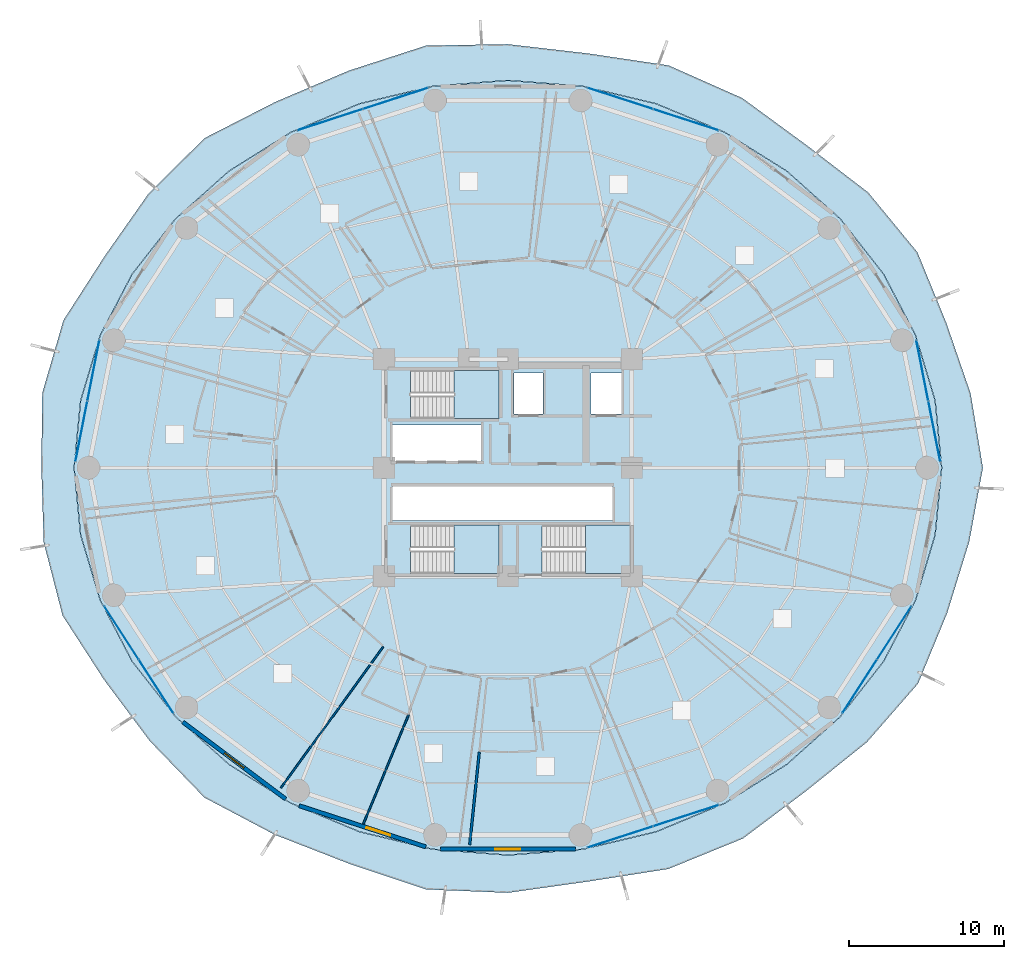
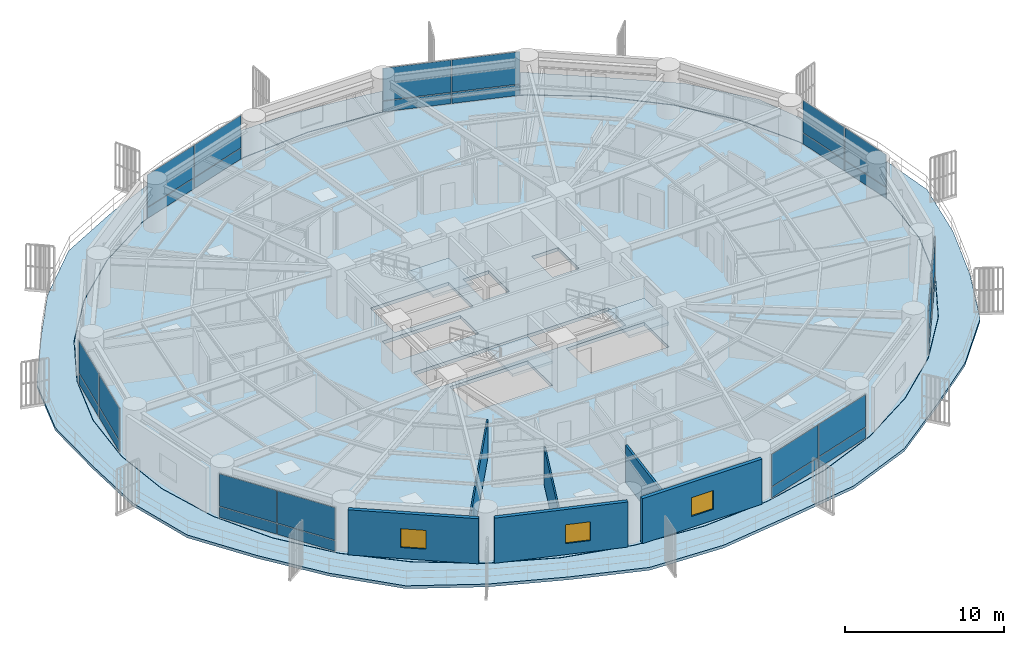
# One storey, part 22 of 33: 28 plates, 6 walls, 5 slabs, 3 windows, 3 openings, 10 elements without a shape of their own.
"""IFC4 building model written with IfcOpenShell, lengths in metres."""

import ifcopenshell
import ifcopenshell.guid

model = None  # the IFC model being written
_history = None  # IfcOwnerHistory: only IFC2X3 demands one
_inside = {}  # id of a spatial element -> (the spatial element, [elements in it])
_under = {}  # id of a project, library or spatial element -> (it, [spatial elements below it])
_declared = {}  # id of a project -> (the project, [libraries it declares])
_typed = {}  # id of a type object -> (the type object, [elements of that type])
_made_of = {}  # id of a material, layer set ... -> (it, [elements and type objects made of it])


def new_model(schema):
    """Start an empty IFC model of exactly this schema.

    Asked for "IFC4X3", IfcOpenShell would pick the latest addendum, in which some entities
    have other attributes; the version numbers below select the first issue.
    IFC2X3 requires an IfcOwnerHistory on every rooted entity: one is made here for all.
    """
    global model, _history
    if schema == "IFC4X3":
        model = ifcopenshell.file(schema_version=(4, 3, 0, 0))
    else:
        model = ifcopenshell.file(schema=schema)
    _inside.clear()
    _under.clear()
    _declared.clear()
    _typed.clear()
    _made_of.clear()
    _history = None
    if model.schema == "IFC2X3":
        org = make("IfcOrganization", Name="unknown")
        user = make(
            "IfcPersonAndOrganization",
            ThePerson=make("IfcPerson", FamilyName="unknown"),
            TheOrganization=org,
        )
        app = make(
            "IfcApplication",
            ApplicationDeveloper=org,
            Version="unknown",
            ApplicationFullName="unknown",
            ApplicationIdentifier="unknown",
        )
        _history = make(
            "IfcOwnerHistory",
            OwningUser=user,
            OwningApplication=app,
            ChangeAction="ADDED",
            CreationDate=0,
        )
    return model


def make(cls, **values):
    """One entity of the class cls with the attributes given. An attribute that is None is left unset."""
    return model.create_entity(
        cls, **{name: value for name, value in values.items() if value is not None}
    )


def rooted(cls, **values):
    """An entity with a GlobalId (a new one), such as an element, a storey or a relation."""
    return make(cls, GlobalId=ifcopenshell.guid.new(), OwnerHistory=_history, **values)


def si_unit(unit_type, name, prefix=None):
    """IfcSIUnit, for example si_unit("LENGTHUNIT", "METRE", prefix="MILLI")."""
    return make("IfcSIUnit", UnitType=unit_type, Prefix=prefix, Name=name)


def assignment(units):
    """IfcUnitAssignment: the units of a project."""
    return None if units is None else make("IfcUnitAssignment", Units=units)


def point(xyz):
    """IfcCartesianPoint."""
    return None if xyz is None else make("IfcCartesianPoint", Coordinates=xyz)


def direction(xyz):
    """IfcDirection."""
    return None if xyz is None else make("IfcDirection", DirectionRatios=xyz)


def frame(location, z_axis=None, x_axis=None):
    """IfcAxis2Placement3D, a coordinate frame: its origin and axes. An axis left out is left unset."""
    return make(
        "IfcAxis2Placement3D",
        Location=point(location),
        Axis=direction(z_axis),
        RefDirection=direction(x_axis),
    )


def frame_2d(location, x_axis=None):
    """IfcAxis2Placement2D, a coordinate frame in the plane: its origin and x axis."""
    return make(
        "IfcAxis2Placement2D", Location=point(location), RefDirection=direction(x_axis)
    )


def origin():
    """The frame at (0, 0, 0) with its axes left unset."""
    return frame((0.0, 0.0, 0.0))


def origin_2d():
    """The frame at (0, 0) in the plane with its x axis left unset."""
    return frame_2d((0.0, 0.0))


def place(relative_to, where):
    """IfcLocalPlacement: puts the frame where relative to a parent placement (None: the world)."""
    return make(
        "IfcLocalPlacement", PlacementRelTo=relative_to, RelativePlacement=where
    )


def context(
    kind, dimensions, precision=None, world=None, true_north=None, identifier=None
):
    """IfcGeometricRepresentationContext, for example the 3D "Model" context."""
    return make(
        "IfcGeometricRepresentationContext",
        ContextIdentifier=identifier,
        ContextType=kind,
        CoordinateSpaceDimension=dimensions,
        Precision=precision,
        WorldCoordinateSystem=world,
        TrueNorth=true_north,
    )


def subcontext(parent, identifier, kind, view, scale=None):
    """IfcGeometricRepresentationSubContext, for example "Body" below "Model"."""
    return make(
        "IfcGeometricRepresentationSubContext",
        ContextIdentifier=identifier,
        ContextType=kind,
        ParentContext=parent,
        TargetScale=scale,
        TargetView=view,
    )


def project(units=None, contexts=None):
    """IfcProject with its units and contexts."""
    return rooted(
        "IfcProject",
        Name="project",
        RepresentationContexts=contexts,
        UnitsInContext=assignment(units),
    )


def spatial(cls, under=None, at=None, **own):
    """A site, building, storey or space (cls), placed at a placement, below another one or the project."""
    s = rooted(cls, ObjectPlacement=at, **own)
    if under is not None:
        _under.setdefault(under.id(), (under, []))[1].append(s)
    return s


def polyline(points):
    """IfcPolyline through the points."""
    return make("IfcPolyline", Points=[point(p) for p in points])


def profile(cls, at=None, kind="AREA", **sizes):
    """A parametric profile (cls). Its sizes go by their IFC names, for example OverallWidth=200.0."""
    return make(cls, ProfileType=kind, Position=at, **sizes)


def rectangle(**sizes):
    """IfcRectangleProfileDef."""
    return profile("IfcRectangleProfileDef", **sizes)


def outline(outer, holes=None, kind="AREA"):
    """IfcArbitraryClosedProfileDef: a profile drawn as a closed curve; with holes, ...WithVoids."""
    if holes is None:
        return make("IfcArbitraryClosedProfileDef", ProfileType=kind, OuterCurve=outer)
    return make(
        "IfcArbitraryProfileDefWithVoids",
        ProfileType=kind,
        OuterCurve=outer,
        InnerCurves=holes,
    )


def extrude(swept, where, along, depth):
    """IfcExtrudedAreaSolid: the profile swept, set in the frame where, extruded along a direction by depth."""
    return make(
        "IfcExtrudedAreaSolid",
        SweptArea=swept,
        Position=where,
        ExtrudedDirection=direction(along),
        Depth=depth,
    )


def shape(context_of_items, identifier, shape_type, items):
    """IfcShapeRepresentation: the items that make up one representation, for example the "Body"."""
    return make(
        "IfcShapeRepresentation",
        ContextOfItems=context_of_items,
        RepresentationIdentifier=identifier,
        RepresentationType=shape_type,
        Items=items,
    )


def source(mapping_origin, context_of_items, identifier, shape_type, items):
    """IfcRepresentationMap: a shape defined once, which mapped items show again and again."""
    return make(
        "IfcRepresentationMap",
        MappingOrigin=mapping_origin,
        MappedRepresentation=shape(context_of_items, identifier, shape_type, items),
    )


def transform(
    local_origin,
    x_axis=None,
    y_axis=None,
    z_axis=None,
    scale=None,
    scale2=None,
    scale3=None,
    uniform=True,
):
    """IfcCartesianTransformationOperator3D, or its non-uniform kind. x_axis, y_axis, z_axis: its Axis1, 2, 3."""
    if uniform:
        return make(
            "IfcCartesianTransformationOperator3D",
            Axis1=direction(x_axis),
            Axis2=direction(y_axis),
            LocalOrigin=point(local_origin),
            Scale=scale,
            Axis3=direction(z_axis),
        )
    return make(
        "IfcCartesianTransformationOperator3DnonUniform",
        Axis1=direction(x_axis),
        Axis2=direction(y_axis),
        LocalOrigin=point(local_origin),
        Scale=scale,
        Axis3=direction(z_axis),
        Scale2=scale2,
        Scale3=scale3,
    )


def mapped(mapping_source, mapping_target):
    """IfcMappedItem: shows the shape of a source again, moved by a transform."""
    return make(
        "IfcMappedItem", MappingSource=mapping_source, MappingTarget=mapping_target
    )


def material(Name=None, Category=None):
    """IfcMaterial."""
    return make("IfcMaterial", Name=Name, Category=Category)


def layer(
    of_material, thickness, ventilated=None, Name=None, Category=None, Priority=None
):
    """IfcMaterialLayer: one layer of a wall or slab, of a material (None: an air gap)."""
    return make(
        "IfcMaterialLayer",
        Material=of_material,
        LayerThickness=thickness,
        IsVentilated=ventilated,
        Name=Name,
        Category=Category,
        Priority=Priority,
    )


def layer_set(layers, Name=None):
    """IfcMaterialLayerSet."""
    return make("IfcMaterialLayerSet", MaterialLayers=layers, LayerSetName=Name)


def made_of(thing, what):
    """Note that an element or type object is made of a material, layer set ...; save() writes the relation."""
    if what is not None:
        _made_of.setdefault(what.id(), (what, []))[1].append(thing)
    return thing


def type_object(cls, material=None, **own):
    """A type object (cls), such as IfcWallType, which elements share."""
    return made_of(rooted(cls, **own), material)


def element(
    cls,
    number,
    at=None,
    inside=None,
    cuts=None,
    type_object=None,
    material=None,
    context=None,
    identifier="Body",
    shape_type=None,
    held_by="IfcProductDefinitionShape",
    body=None,
    shapes=None,
    **own,
):
    """One element of the class cls, such as IfcWall. Its Tag is "e" and its number.

    at: its placement. inside: the storey or other place that contains it. cuts: it is an
    opening in that element (IfcRelVoidsElement). A single representation is given by context,
    identifier, shape_type and body (its items); several are given by shapes. held_by: the class
    of the entity that holds the representations. save() writes the other relations.
    """
    e = rooted(cls, Tag="e%d" % number, ObjectPlacement=at, **own)
    if body is not None:
        shapes = [shape(context, identifier, shape_type, body)]
    if shapes is not None:
        e.Representation = make(held_by, Representations=shapes)
    if inside is not None:
        _inside.setdefault(inside.id(), (inside, []))[1].append(e)
    if cuts is not None:
        rooted(
            "IfcRelVoidsElement", RelatingBuildingElement=cuts, RelatedOpeningElement=e
        )
    if type_object is not None:
        _typed.setdefault(type_object.id(), (type_object, []))[1].append(e)
    return made_of(e, material)


def fill(opening, filler):
    """IfcRelFillsElement: the door or window that sits in an opening."""
    return rooted(
        "IfcRelFillsElement",
        RelatingOpeningElement=opening,
        RelatedBuildingElement=filler,
    )


def aggregate(whole, parts):
    """IfcRelAggregates: a whole, such as a stair, and the parts it consists of."""
    return rooted("IfcRelAggregates", RelatingObject=whole, RelatedObjects=parts)


def save(model, path):
    """Write the relations noted so far, then the file.

    IfcRelAggregates (storeys below a building ...), IfcRelContainedInSpatialStructure (elements
    in a storey), IfcRelDefinesByType, IfcRelAssociatesMaterial and IfcRelDeclares: one each for
    every whole, place, type object, material and project.
    """
    for whole, parts in _under.values():
        aggregate(whole, parts)
    for where, things in _inside.values():
        rooted(
            "IfcRelContainedInSpatialStructure",
            RelatedElements=things,
            RelatingStructure=where,
        )
    for kind, things in _typed.values():
        rooted("IfcRelDefinesByType", RelatedObjects=things, RelatingType=kind)
    for what, things in _made_of.values():
        rooted("IfcRelAssociatesMaterial", RelatedObjects=things, RelatingMaterial=what)
    for by, libraries in _declared.values():
        rooted("IfcRelDeclares", RelatingContext=by, RelatedDefinitions=libraries)
    model.write(path)


model = new_model("IFC4")

# Units and contexts
model_context = context("Model", 3, precision=1e-05, world=origin(), true_north=direction((0.0, 1.0)))
body_context = subcontext(model_context, "Body", "Model", "MODEL_VIEW")
ifc_project = project(units=[si_unit("LENGTHUNIT", "METRE"), si_unit("AREAUNIT", "SQUARE_METRE"), si_unit("VOLUMEUNIT", "CUBIC_METRE"), si_unit("PLANEANGLEUNIT", "RADIAN"), si_unit("MASSUNIT", "GRAM", prefix="KILO")], contexts=[model_context])

# Site, building, storey
site_placement = place(None, origin())
site = spatial("IfcSite", under=ifc_project, at=site_placement, CompositionType="ELEMENT")
building_placement = place(site_placement, origin())
building = spatial("IfcBuilding", under=site, at=building_placement, Name="Kelanora Arch Commons", CompositionType="ELEMENT")
storey_placement = place(building_placement, frame((0.0, 0.0, 45.0)))
storey = spatial("IfcBuildingStorey", under=building, at=storey_placement, Name="L11", CompositionType="ELEMENT", Elevation=45.0)

# Stair, slab
ifc_material_1 = material(Name="Concrete C40/50", Category="concrete")
stair_type = type_object("IfcStairType", Name="STR-DL-375", PredefinedType="HALF_TURN_STAIR", material=ifc_material_1)
stair_1_placement = place(storey_placement, origin())
stair_1 = element("IfcStair", 1, at=stair_1_placement, inside=storey, type_object=stair_type, Name="L11 ST-T1", PredefinedType="HALF_TURN_STAIR")
ifc_layer_1 = layer(ifc_material_1, 0.199951171875)
ifc_layer_set_1 = layer_set([ifc_layer_1], Name="Concrete C40/50")
slab_type_1 = type_object("IfcSlabType", Name="SLB-STAIR-LND", PredefinedType="LANDING", material=ifc_layer_set_1)
slab_1_placement = place(storey_placement, frame((0.0, 0.0, 1.675048828125)))
slab_1 = element("IfcSlab", 2, at=slab_1_placement, type_object=slab_type_1, Name="ST-T1 landing 1", PredefinedType="LANDING", context=body_context, shape_type="SweptSolid", body=[
    extrude(outline(polyline([(70.52001953125, 61.179931640625), (73.43994140625, 61.179931640625), (73.43994140625, 64.2900390625), (70.52001953125, 64.2900390625), (70.52001953125, 61.179931640625)])), origin(), (0.0, 0.0, 1.0), 0.199951171875),
])
aggregate(stair_1, [slab_1])

stair_2_placement = place(storey_placement, origin())
stair_2 = element("IfcStair", 3, at=stair_2_placement, inside=storey, type_object=stair_type, Name="L11 ST-T2", PredefinedType="HALF_TURN_STAIR")
slab_2_placement = place(storey_placement, frame((0.0, 0.0, 1.675048828125)))
slab_2 = element("IfcSlab", 4, at=slab_2_placement, type_object=slab_type_1, Name="ST-T2 landing 1", PredefinedType="LANDING", context=body_context, shape_type="SweptSolid", body=[
    extrude(outline(polyline([(79.0, 51.179931640625), (81.919921875, 51.179931640625), (81.919921875, 54.2900390625), (79.0, 54.2900390625), (79.0, 51.179931640625)])), origin(), (0.0, 0.0, 1.0), 0.199951171875),
])
aggregate(stair_2, [slab_2])

stair_3_placement = place(storey_placement, origin())
stair_3 = element("IfcStair", 5, at=stair_3_placement, inside=storey, type_object=stair_type, Name="L11 ST-T3", PredefinedType="HALF_TURN_STAIR")
slab_3_placement = place(storey_placement, frame((0.0, 0.0, 1.675048828125)))
slab_3 = element("IfcSlab", 6, at=slab_3_placement, type_object=slab_type_1, Name="ST-T3 landing 1", PredefinedType="LANDING", context=body_context, shape_type="SweptSolid", body=[
    extrude(outline(polyline([(70.52001953125, 51.179931640625), (73.43994140625, 51.179931640625), (73.43994140625, 54.2900390625), (70.52001953125, 54.2900390625), (70.52001953125, 51.179931640625)])), origin(), (0.0, 0.0, 1.0), 0.199951171875),
])
aggregate(stair_3, [slab_3])

# Slabs
ifc_layer_2 = layer(ifc_material_1, 0.260009765625)
ifc_layer_set_2 = layer_set([ifc_layer_2], Name="Concrete C40/50")
slab_type_2 = type_object("IfcSlabType", Name="SLB-TWR-TYP", PredefinedType="FLOOR", material=ifc_layer_set_2)
slab_4_placement = place(storey_placement, frame((0.0, 0.0, -0.260009765625)))
element("IfcSlab", 7, at=slab_4_placement, inside=storey, type_object=slab_type_2, Name="Tower Floor Slab L11", PredefinedType="FLOOR", context=body_context, shape_type="SweptSolid", body=[
    extrude(outline(polyline([(102.0, 58.0), (101.57470703125, 62.34130859375), (100.311279296875, 66.550537109375), (98.248779296875, 70.5), (95.44921875, 74.069580078125), (91.998046875, 77.151123046875), (88.0, 79.650634765625), (83.57666015625, 81.4921875), (78.862060546875, 82.6201171875), (74.0, 83.0), (69.137939453125, 82.6201171875), (64.42333984375, 81.4921875), (60.0, 79.650634765625), (56.001953125, 77.151123046875), (52.55078125, 74.069580078125), (49.751220703125, 70.5), (47.688720703125, 66.550537109375), (46.42529296875, 62.34130859375), (46.0, 58.0), (46.42529296875, 53.65869140625), (47.688720703125, 49.449462890625), (49.751220703125, 45.5), (52.55078125, 41.930419921875), (56.001953125, 38.848876953125), (60.0, 36.349365234375), (64.42333984375, 34.5078125), (69.137939453125, 33.3798828125), (74.0, 33.0), (78.862060546875, 33.3798828125), (83.57666015625, 34.5078125), (88.0, 36.349365234375), (91.998046875, 38.848876953125), (95.44921875, 41.930419921875), (98.248779296875, 45.5), (100.311279296875, 49.449462890625), (101.57470703125, 53.65869140625), (102.0, 58.0)]), holes=[polyline([(73.431884765625, 51.18798828125), (67.72802734375, 51.18798828125), (67.72802734375, 54.281982421875), (73.431884765625, 54.281982421875), (73.431884765625, 51.18798828125)]), polyline([(76.2080078125, 51.18798828125), (76.2080078125, 54.281982421875), (81.912109375, 54.281982421875), (81.912109375, 51.18798828125), (76.2080078125, 51.18798828125)]), polyline([(66.550048828125, 54.60009765625), (66.550048828125, 56.800048828125), (80.75, 56.800048828125), (80.75, 54.60009765625), (66.550048828125, 54.60009765625)]), polyline([(66.550048828125, 58.449951171875), (66.550048828125, 60.75), (72.25, 60.75), (72.25, 58.449951171875), (66.550048828125, 58.449951171875)]), polyline([(67.72802734375, 61.18798828125), (67.72802734375, 64.281982421875), (73.431884765625, 64.281982421875), (73.431884765625, 61.18798828125), (67.72802734375, 61.18798828125)]), polyline([(74.3798828125, 61.47998046875), (74.3798828125, 64.1201171875), (76.260009765625, 64.1201171875), (76.260009765625, 61.47998046875), (74.3798828125, 61.47998046875)]), polyline([(79.3798828125, 61.47998046875), (79.3798828125, 64.1201171875), (81.320068359375, 64.1201171875), (81.320068359375, 61.47998046875), (79.3798828125, 61.47998046875)])]), origin(), (0.0, 0.0, 1.0), 0.260009765625),
])
ifc_layer_3 = layer(ifc_material_1, 0.219970703125)
ifc_layer_set_3 = layer_set([ifc_layer_3], Name="Concrete C40/50")
slab_type_3 = type_object("IfcSlabType", Name="SLB-WAVE-BAL", PredefinedType="FLOOR", material=ifc_layer_set_3)
slab_5_placement = place(storey_placement, frame((0.0, 0.0, -0.219970703125)))
element("IfcSlab", 8, at=slab_5_placement, inside=storey, type_object=slab_type_3, Name="Sinusoidal Wave Balcony Slab L11", PredefinedType="FLOOR", context=body_context, shape_type="SweptSolid", body=[
    extrude(outline(polyline([(104.670654296875, 58.0), (103.87646484375, 62.7958984375), (102.3046875, 67.363037109375), (100.43994140625, 71.9169921875), (97.264404296875, 75.775390625), (93.26611328125, 78.84375), (89.141357421875, 81.864501953125), (84.383056640625, 83.97412109375), (79.197021484375, 84.74658203125), (74.0, 85.346435546875), (68.722412109375, 85.25830078125), (63.7265625, 83.636962890625), (58.985107421875, 81.619384765625), (54.408203125, 79.2783203125), (50.805419921875, 75.7099609375), (47.961181640625, 71.65771484375), (45.30419921875, 67.5224609375), (43.9384765625, 62.832275390625), (43.880615234375, 58.0), (44.028076171875, 53.185302734375), (45.246337890625, 48.453857421875), (47.920166015625, 44.31591796875), (50.875244140625, 40.355712890625), (54.39794921875, 36.7080078125), (58.946533203125, 34.3056640625), (63.74951171875, 32.433837890625), (68.727783203125, 30.7744140625), (74.0, 30.556396484375), (79.191650390625, 31.286376953125), (84.360107421875, 32.0966796875), (89.1796875, 34.060546875), (93.2763671875, 37.142578125), (97.194580078125, 40.2900390625), (100.480712890625, 44.056640625), (102.362548828125, 48.61328125), (103.786865234375, 53.221923828125), (104.670654296875, 58.0)]), holes=[polyline([(101.59423828125, 53.6552734375), (100.330078125, 49.442626953125), (98.26611328125, 45.489990234375), (95.464599609375, 41.91748046875), (92.010986328125, 38.83349609375), (88.010009765625, 36.33203125), (83.58349609375, 34.489013671875), (78.865478515625, 33.360107421875), (74.0, 32.97998046875), (69.134521484375, 33.360107421875), (64.41650390625, 34.489013671875), (59.989990234375, 36.33203125), (55.989013671875, 38.83349609375), (52.535400390625, 41.91748046875), (49.73388671875, 45.489990234375), (47.669921875, 49.442626953125), (46.40576171875, 53.6552734375), (45.97998046875, 58.0), (46.40576171875, 62.3447265625), (47.669921875, 66.557373046875), (49.73388671875, 70.510009765625), (52.535400390625, 74.08251953125), (55.989013671875, 77.16650390625), (59.989990234375, 79.66796875), (64.41650390625, 81.510986328125), (69.134521484375, 82.639892578125), (74.0, 83.02001953125), (78.865478515625, 82.639892578125), (83.58349609375, 81.510986328125), (88.010009765625, 79.66796875), (92.010986328125, 77.16650390625), (95.464599609375, 74.08251953125), (98.26611328125, 70.510009765625), (100.330078125, 66.557373046875), (101.59423828125, 62.3447265625), (102.02001953125, 58.0), (101.59423828125, 53.6552734375)])]), origin(), (0.0, 0.0, 1.0), 0.219970703125),
])

# Curtain wall, plates
ifc_material_2 = material(Name="Terracotta ceramic-fritted low-E glass and aluminium", Category="masonry")
ifc_layer_4 = layer(ifc_material_2, 0.159912109375)
ifc_layer_set_4 = layer_set([ifc_layer_4], Name="Terracotta ceramic-fritted low-E glass and aluminium")
curtain_wall_type = type_object("IfcCurtainWallType", Name="CW-SYS-01", PredefinedType="NOTDEFINED", material=ifc_layer_set_4)
curtain_wall_1_placement = place(storey_placement, origin())
curtain_wall_1 = element("IfcCurtainWall", 9, at=curtain_wall_1_placement, inside=storey, type_object=curtain_wall_type, Name="Unitised Curtain Wall L11-B00", PredefinedType="NOTDEFINED")
ifc_material_3 = material(Name="Terracotta ceramic-fritted double glazing", Category="masonry")
ifc_layer_5 = layer(ifc_material_3, 0.028076171875)
ifc_layer_set_5 = layer_set([ifc_layer_5], Name="Terracotta ceramic-fritted double glazing")
plate_type = type_object("IfcPlateType", Name="CWP-FRIT", PredefinedType="CURTAIN_PANEL", material=ifc_layer_set_5)
shared_shape_1 = source(origin(), body_context, "Body", "SweptSolid", [
    extrude(rectangle(XDim=3.9482421875, YDim=0.028076171875, at=origin_2d()), origin(), (0.0, 0.0, 1.0), 0.81005859375),
])
plate_1_placement = place(storey_placement, frame((101.536865234375, 60.34521484375, 0.06005859375), z_axis=(0.0, 0.0, 1.0), x_axis=(-0.193744048498, 0.981052110579, 0.0)))
plate_1 = element("IfcPlate", 10, at=plate_1_placement, type_object=plate_type, Name="CW-01 panel 1.1", PredefinedType="CURTAIN_PANEL", context=body_context, shape_type="MappedRepresentation", body=[
    mapped(shared_shape_1, transform((0.0, 0.0, 0.0), scale=1.0)),
])
plate_2_placement = place(storey_placement, frame((100.76025390625, 64.277587890625, 0.06005859375), z_axis=(0.0, 0.0, 1.0), x_axis=(-0.193744048498, 0.981052110579, 0.0)))
plate_2 = element("IfcPlate", 11, at=plate_2_placement, type_object=plate_type, Name="CW-01 panel 2.1", PredefinedType="CURTAIN_PANEL", context=body_context, shape_type="MappedRepresentation", body=[
    mapped(shared_shape_1, transform((0.0, 0.0, 0.0), scale=1.0)),
])

curtain_wall_2_placement = place(storey_placement, origin())
curtain_wall_2 = element("IfcCurtainWall", 12, at=curtain_wall_2_placement, inside=storey, type_object=curtain_wall_type, Name="Unitised Curtain Wall L11-B08", PredefinedType="NOTDEFINED")
plate_3_placement = place(storey_placement, frame((47.23974609375, 64.277587890625, 0.06005859375), z_axis=(0.0, 0.0, 1.0), x_axis=(-0.193744048498, -0.981052110579, 0.0)))
plate_3 = element("IfcPlate", 13, at=plate_3_placement, type_object=plate_type, Name="CW-01 panel 1.1", PredefinedType="CURTAIN_PANEL", context=body_context, shape_type="MappedRepresentation", body=[
    mapped(shared_shape_1, transform((0.0, 0.0, 0.0), scale=1.0)),
])
plate_4_placement = place(storey_placement, frame((46.463134765625, 60.34521484375, 0.06005859375), z_axis=(0.0, 0.0, 1.0), x_axis=(-0.193744048498, -0.981052110579, 0.0)))
plate_4 = element("IfcPlate", 14, at=plate_4_placement, type_object=plate_type, Name="CW-01 panel 2.1", PredefinedType="CURTAIN_PANEL", context=body_context, shape_type="MappedRepresentation", body=[
    mapped(shared_shape_1, transform((0.0, 0.0, 0.0), scale=1.0)),
])

# Plate
shared_shape_2 = source(origin(), body_context, "Body", "SweptSolid", [
    extrude(rectangle(XDim=3.9482421875, YDim=0.028076171875, at=origin_2d()), origin(), (0.0, 0.0, 1.0), 2.485107421875),
])
plate_5_placement = place(storey_placement, frame((101.536865234375, 60.34521484375, 0.93017578125), z_axis=(0.0, 0.0, 1.0), x_axis=(-0.193744048498, 0.981052110579, 0.0)))
plate_5 = element("IfcPlate", 15, at=plate_5_placement, type_object=plate_type, Name="CW-01 panel 1.2", PredefinedType="CURTAIN_PANEL", context=body_context, shape_type="MappedRepresentation", body=[
    mapped(shared_shape_2, transform((0.0, 0.0, 0.0), scale=1.0)),
])

plate_6_placement = place(storey_placement, frame((100.76025390625, 64.277587890625, 0.93017578125), z_axis=(0.0, 0.0, 1.0), x_axis=(-0.193744048498, 0.981052110579, 0.0)))
plate_6 = element("IfcPlate", 16, at=plate_6_placement, type_object=plate_type, Name="CW-01 panel 2.2", PredefinedType="CURTAIN_PANEL", context=body_context, shape_type="MappedRepresentation", body=[
    mapped(shared_shape_2, transform((0.0, 0.0, 0.0), scale=1.0)),
])

aggregate(curtain_wall_1, [plate_1, plate_5, plate_2, plate_6])

plate_7_placement = place(storey_placement, frame((47.23974609375, 64.277587890625, 0.93017578125), z_axis=(0.0, 0.0, 1.0), x_axis=(-0.193744048498, -0.981052110579, 0.0)))
plate_7 = element("IfcPlate", 17, at=plate_7_placement, type_object=plate_type, Name="CW-01 panel 1.2", PredefinedType="CURTAIN_PANEL", context=body_context, shape_type="MappedRepresentation", body=[
    mapped(shared_shape_2, transform((0.0, 0.0, 0.0), scale=1.0)),
])

plate_8_placement = place(storey_placement, frame((46.463134765625, 60.34521484375, 0.93017578125), z_axis=(0.0, 0.0, 1.0), x_axis=(-0.193744048498, -0.981052110579, 0.0)))
plate_8 = element("IfcPlate", 18, at=plate_8_placement, type_object=plate_type, Name="CW-01 panel 2.2", PredefinedType="CURTAIN_PANEL", context=body_context, shape_type="MappedRepresentation", body=[
    mapped(shared_shape_2, transform((0.0, 0.0, 0.0), scale=1.0)),
])

aggregate(curtain_wall_2, [plate_3, plate_7, plate_4, plate_8])

# Curtain wall, plates
curtain_wall_3_placement = place(storey_placement, origin())
curtain_wall_3 = element("IfcCurtainWall", 19, at=curtain_wall_3_placement, inside=storey, type_object=curtain_wall_type, Name="Unitised Curtain Wall L11-B03", PredefinedType="NOTDEFINED")
shared_shape_3 = source(origin(), body_context, "Body", "SweptSolid", [
    extrude(rectangle(XDim=4.39453125, YDim=0.028076171875, at=origin_2d()), origin(), (0.0, 0.0, 1.0), 0.81005859375),
])
plate_9_placement = place(storey_placement, frame((85.4892578125, 80.466552734375, 0.06005859375), z_axis=(0.0, 0.0, 1.0), x_axis=(-0.951043326793, 0.30905758454, 0.0)))
plate_9 = element("IfcPlate", 20, at=plate_9_placement, type_object=plate_type, Name="CW-01 panel 1.1", PredefinedType="CURTAIN_PANEL", context=body_context, shape_type="MappedRepresentation", body=[
    mapped(shared_shape_3, transform((0.0, 0.0, 0.0), scale=1.0)),
])
plate_10_placement = place(storey_placement, frame((81.252685546875, 81.84326171875, 0.06005859375), z_axis=(0.0, 0.0, 1.0), x_axis=(-0.951043326793, 0.30905758454, 0.0)))
plate_10 = element("IfcPlate", 21, at=plate_10_placement, type_object=plate_type, Name="CW-01 panel 2.1", PredefinedType="CURTAIN_PANEL", context=body_context, shape_type="MappedRepresentation", body=[
    mapped(shared_shape_3, transform((0.0, 0.0, 0.0), scale=1.0)),
])

curtain_wall_4_placement = place(storey_placement, origin())
curtain_wall_4 = element("IfcCurtainWall", 22, at=curtain_wall_4_placement, inside=storey, type_object=curtain_wall_type, Name="Unitised Curtain Wall L11-B05", PredefinedType="NOTDEFINED")
plate_11_placement = place(storey_placement, frame((66.747314453125, 81.84326171875, 0.06005859375), z_axis=(0.0, 0.0, 1.0), x_axis=(-0.951043326793, -0.30905758454, 0.0)))
plate_11 = element("IfcPlate", 23, at=plate_11_placement, type_object=plate_type, Name="CW-01 panel 1.1", PredefinedType="CURTAIN_PANEL", context=body_context, shape_type="MappedRepresentation", body=[
    mapped(shared_shape_3, transform((0.0, 0.0, 0.0), scale=1.0)),
])
plate_12_placement = place(storey_placement, frame((62.5107421875, 80.466552734375, 0.06005859375), z_axis=(0.0, 0.0, 1.0), x_axis=(-0.951043326793, -0.30905758454, 0.0)))
plate_12 = element("IfcPlate", 24, at=plate_12_placement, type_object=plate_type, Name="CW-01 panel 2.1", PredefinedType="CURTAIN_PANEL", context=body_context, shape_type="MappedRepresentation", body=[
    mapped(shared_shape_3, transform((0.0, 0.0, 0.0), scale=1.0)),
])

curtain_wall_5_placement = place(storey_placement, origin())
curtain_wall_5 = element("IfcCurtainWall", 25, at=curtain_wall_5_placement, inside=storey, type_object=curtain_wall_type, Name="Unitised Curtain Wall L11-B14", PredefinedType="NOTDEFINED")
plate_13_placement = place(storey_placement, frame((81.252685546875, 34.15673828125, 0.06005859375), z_axis=(0.0, 0.0, 1.0), x_axis=(0.951043326793, 0.30905758454, 0.0)))
plate_13 = element("IfcPlate", 26, at=plate_13_placement, type_object=plate_type, Name="CW-01 panel 1.1", PredefinedType="CURTAIN_PANEL", context=body_context, shape_type="MappedRepresentation", body=[
    mapped(shared_shape_3, transform((0.0, 0.0, 0.0), scale=1.0)),
])
plate_14_placement = place(storey_placement, frame((85.4892578125, 35.533447265625, 0.06005859375), z_axis=(0.0, 0.0, 1.0), x_axis=(0.951043326793, 0.30905758454, 0.0)))
plate_14 = element("IfcPlate", 27, at=plate_14_placement, type_object=plate_type, Name="CW-01 panel 2.1", PredefinedType="CURTAIN_PANEL", context=body_context, shape_type="MappedRepresentation", body=[
    mapped(shared_shape_3, transform((0.0, 0.0, 0.0), scale=1.0)),
])

# Plate
shared_shape_4 = source(origin(), body_context, "Body", "SweptSolid", [
    extrude(rectangle(XDim=4.39453125, YDim=0.028076171875, at=origin_2d()), origin(), (0.0, 0.0, 1.0), 2.485107421875),
])
plate_15_placement = place(storey_placement, frame((85.4892578125, 80.466552734375, 0.93017578125), z_axis=(0.0, 0.0, 1.0), x_axis=(-0.951043326793, 0.30905758454, 0.0)))
plate_15 = element("IfcPlate", 28, at=plate_15_placement, type_object=plate_type, Name="CW-01 panel 1.2", PredefinedType="CURTAIN_PANEL", context=body_context, shape_type="MappedRepresentation", body=[
    mapped(shared_shape_4, transform((0.0, 0.0, 0.0), scale=1.0)),
])

plate_16_placement = place(storey_placement, frame((81.252685546875, 81.84326171875, 0.93017578125), z_axis=(0.0, 0.0, 1.0), x_axis=(-0.951043326793, 0.30905758454, 0.0)))
plate_16 = element("IfcPlate", 29, at=plate_16_placement, type_object=plate_type, Name="CW-01 panel 2.2", PredefinedType="CURTAIN_PANEL", context=body_context, shape_type="MappedRepresentation", body=[
    mapped(shared_shape_4, transform((0.0, 0.0, 0.0), scale=1.0)),
])

aggregate(curtain_wall_3, [plate_9, plate_15, plate_10, plate_16])

plate_17_placement = place(storey_placement, frame((66.747314453125, 81.84326171875, 0.93017578125), z_axis=(0.0, 0.0, 1.0), x_axis=(-0.951043326793, -0.30905758454, 0.0)))
plate_17 = element("IfcPlate", 30, at=plate_17_placement, type_object=plate_type, Name="CW-01 panel 1.2", PredefinedType="CURTAIN_PANEL", context=body_context, shape_type="MappedRepresentation", body=[
    mapped(shared_shape_4, transform((0.0, 0.0, 0.0), scale=1.0)),
])

plate_18_placement = place(storey_placement, frame((62.5107421875, 80.466552734375, 0.93017578125), z_axis=(0.0, 0.0, 1.0), x_axis=(-0.951043326793, -0.30905758454, 0.0)))
plate_18 = element("IfcPlate", 31, at=plate_18_placement, type_object=plate_type, Name="CW-01 panel 2.2", PredefinedType="CURTAIN_PANEL", context=body_context, shape_type="MappedRepresentation", body=[
    mapped(shared_shape_4, transform((0.0, 0.0, 0.0), scale=1.0)),
])

aggregate(curtain_wall_4, [plate_11, plate_17, plate_12, plate_18])

plate_19_placement = place(storey_placement, frame((81.252685546875, 34.15673828125, 0.93017578125), z_axis=(0.0, 0.0, 1.0), x_axis=(0.951043326793, 0.30905758454, 0.0)))
plate_19 = element("IfcPlate", 32, at=plate_19_placement, type_object=plate_type, Name="CW-01 panel 1.2", PredefinedType="CURTAIN_PANEL", context=body_context, shape_type="MappedRepresentation", body=[
    mapped(shared_shape_4, transform((0.0, 0.0, 0.0), scale=1.0)),
])

plate_20_placement = place(storey_placement, frame((85.4892578125, 35.533447265625, 0.93017578125), z_axis=(0.0, 0.0, 1.0), x_axis=(0.951043326793, 0.30905758454, 0.0)))
plate_20 = element("IfcPlate", 33, at=plate_20_placement, type_object=plate_type, Name="CW-01 panel 2.2", PredefinedType="CURTAIN_PANEL", context=body_context, shape_type="MappedRepresentation", body=[
    mapped(shared_shape_4, transform((0.0, 0.0, 0.0), scale=1.0)),
])

aggregate(curtain_wall_5, [plate_13, plate_19, plate_14, plate_20])

# Curtain wall, plates
curtain_wall_6_placement = place(storey_placement, origin())
curtain_wall_6 = element("IfcCurtainWall", 34, at=curtain_wall_6_placement, inside=storey, type_object=curtain_wall_type, Name="Unitised Curtain Wall L11-B10", PredefinedType="NOTDEFINED")
shared_shape_5 = source(origin(), body_context, "Body", "SweptSolid", [
    extrude(rectangle(XDim=4.06787109375, YDim=0.028076171875, at=origin_2d()), origin(), (0.0, 0.0, 1.0), 0.81005859375),
])
plate_21_placement = place(storey_placement, frame((49.04833984375, 47.346435546875, 0.06005859375), z_axis=(0.0, 0.0, 1.0), x_axis=(0.543004441812, -0.83972982332, 0.0)))
plate_21 = element("IfcPlate", 35, at=plate_21_placement, type_object=plate_type, Name="CW-01 panel 1.1", PredefinedType="CURTAIN_PANEL", context=body_context, shape_type="MappedRepresentation", body=[
    mapped(shared_shape_5, transform((0.0, 0.0, 0.0), scale=1.0)),
])
plate_22_placement = place(storey_placement, frame((51.289794921875, 43.880126953125, 0.06005859375), z_axis=(0.0, 0.0, 1.0), x_axis=(0.543004441812, -0.83972982332, 0.0)))
plate_22 = element("IfcPlate", 36, at=plate_22_placement, type_object=plate_type, Name="CW-01 panel 2.1", PredefinedType="CURTAIN_PANEL", context=body_context, shape_type="MappedRepresentation", body=[
    mapped(shared_shape_5, transform((0.0, 0.0, 0.0), scale=1.0)),
])

curtain_wall_7_placement = place(storey_placement, origin())
curtain_wall_7 = element("IfcCurtainWall", 37, at=curtain_wall_7_placement, inside=storey, type_object=curtain_wall_type, Name="Unitised Curtain Wall L11-B16", PredefinedType="NOTDEFINED")
plate_23_placement = place(storey_placement, frame((96.710205078125, 43.880126953125, 0.06005859375), z_axis=(0.0, 0.0, 1.0), x_axis=(0.543004441812, 0.83972982332, 0.0)))
plate_23 = element("IfcPlate", 38, at=plate_23_placement, type_object=plate_type, Name="CW-01 panel 1.1", PredefinedType="CURTAIN_PANEL", context=body_context, shape_type="MappedRepresentation", body=[
    mapped(shared_shape_5, transform((0.0, 0.0, 0.0), scale=1.0)),
])
plate_24_placement = place(storey_placement, frame((98.95166015625, 47.346435546875, 0.06005859375), z_axis=(0.0, 0.0, 1.0), x_axis=(0.543004441812, 0.83972982332, 0.0)))
plate_24 = element("IfcPlate", 39, at=plate_24_placement, type_object=plate_type, Name="CW-01 panel 2.1", PredefinedType="CURTAIN_PANEL", context=body_context, shape_type="MappedRepresentation", body=[
    mapped(shared_shape_5, transform((0.0, 0.0, 0.0), scale=1.0)),
])

# Plate
shared_shape_6 = source(origin(), body_context, "Body", "SweptSolid", [
    extrude(rectangle(XDim=4.06787109375, YDim=0.028076171875, at=origin_2d()), origin(), (0.0, 0.0, 1.0), 2.485107421875),
])
plate_25_placement = place(storey_placement, frame((49.04833984375, 47.346435546875, 0.93017578125), z_axis=(0.0, 0.0, 1.0), x_axis=(0.543004441812, -0.83972982332, 0.0)))
plate_25 = element("IfcPlate", 40, at=plate_25_placement, type_object=plate_type, Name="CW-01 panel 1.2", PredefinedType="CURTAIN_PANEL", context=body_context, shape_type="MappedRepresentation", body=[
    mapped(shared_shape_6, transform((0.0, 0.0, 0.0), scale=1.0)),
])

plate_26_placement = place(storey_placement, frame((51.289794921875, 43.880126953125, 0.93017578125), z_axis=(0.0, 0.0, 1.0), x_axis=(0.543004441812, -0.83972982332, 0.0)))
plate_26 = element("IfcPlate", 41, at=plate_26_placement, type_object=plate_type, Name="CW-01 panel 2.2", PredefinedType="CURTAIN_PANEL", context=body_context, shape_type="MappedRepresentation", body=[
    mapped(shared_shape_6, transform((0.0, 0.0, 0.0), scale=1.0)),
])

aggregate(curtain_wall_6, [plate_21, plate_25, plate_22, plate_26])

plate_27_placement = place(storey_placement, frame((96.710205078125, 43.880126953125, 0.93017578125), z_axis=(0.0, 0.0, 1.0), x_axis=(0.543004441812, 0.83972982332, 0.0)))
plate_27 = element("IfcPlate", 42, at=plate_27_placement, type_object=plate_type, Name="CW-01 panel 1.2", PredefinedType="CURTAIN_PANEL", context=body_context, shape_type="MappedRepresentation", body=[
    mapped(shared_shape_6, transform((0.0, 0.0, 0.0), scale=1.0)),
])

plate_28_placement = place(storey_placement, frame((98.95166015625, 47.346435546875, 0.93017578125), z_axis=(0.0, 0.0, 1.0), x_axis=(0.543004441812, 0.83972982332, 0.0)))
plate_28 = element("IfcPlate", 43, at=plate_28_placement, type_object=plate_type, Name="CW-01 panel 2.2", PredefinedType="CURTAIN_PANEL", context=body_context, shape_type="MappedRepresentation", body=[
    mapped(shared_shape_6, transform((0.0, 0.0, 0.0), scale=1.0)),
])

aggregate(curtain_wall_7, [plate_23, plate_27, plate_24, plate_28])

# Wall
ifc_material_4 = material(Name="Autoclaved aerated concrete blockwork with fire plaster", Category="masonry")
ifc_layer_6 = layer(ifc_material_4, 0.14990234375)
ifc_layer_set_6 = layer_set([ifc_layer_6], Name="Autoclaved aerated concrete blockwork with fire plaster")
wall_type_1 = type_object("IfcWallType", Name="W-COMP-150", PredefinedType="PARTITIONING", material=ifc_layer_set_6)
wall_1_placement = place(storey_placement, frame((71.5341796875, 33.65869140625, 0.0), z_axis=(0.0, 0.0, 1.0), x_axis=(0.103033712488, 0.994677864482, 0.0)))
element("IfcWall", 44, at=wall_1_placement, inside=storey, type_object=wall_type_1, Name="Co-Living Studio L11-11 Enclosure Partition 5", PredefinedType="PARTITIONING", context=body_context, shape_type="SweptSolid", body=[
    extrude(rectangle(XDim=6.00439453125, YDim=0.14990234375, at=frame_2d((3.002197265625, 0.0))), origin(), (0.0, 0.0, 1.0), 2.875),
])

# Wall, opening, window
ifc_material_5 = material(Name="Precast concrete C40/50 with terracotta rainscreen", Category="masonry")
ifc_layer_7 = layer(ifc_material_5, 0.260009765625)
ifc_layer_set_7 = layer_set([ifc_layer_7], Name="Precast concrete C40/50 with terracotta rainscreen")
wall_type_2 = type_object("IfcWallType", Name="W-EXT-TC", PredefinedType="SOLIDWALL", material=ifc_layer_set_7)
wall_2_placement = place(storey_placement, frame((53.01611328125, 41.581787109375, 0.0), z_axis=(0.0, 0.0, 1.0), x_axis=(0.80030733173, -0.599590005569, 0.0)))
wall_2 = element("IfcWall", 45, at=wall_2_placement, inside=storey, type_object=wall_type_2, Name="Terracotta Exterior Wall L11-B11", PredefinedType="SOLIDWALL", context=body_context, shape_type="SweptSolid", body=[
    extrude(rectangle(XDim=8.29052734375, YDim=0.260009765625, at=frame_2d((4.145263671875, 0.0))), origin(), (0.0, 0.0, 1.0), 3.47509765625),
])
opening_1_placement = place(wall_2_placement, frame((3.344970703125, 0.0, 0.85009765625)))
opening_1 = element("IfcOpeningElement", 46, at=opening_1_placement, cuts=wall_2, Name="Opening WN-01", PredefinedType="OPENING", context=body_context, shape_type="SweptSolid", body=[
    extrude(rectangle(XDim=1.60009765625, YDim=1.449951171875, at=frame_2d((0.800048828125, 0.72509765625))), frame((0.0, 0.14013671875, 0.0), z_axis=(0.0, -1.0, 0.0), x_axis=(1.0, 0.0, 0.0)), (0.0, 0.0, 1.0), 0.280029296875),
])
ifc_material_6 = material(Name="Terracotta-anodised aluminium frame with operable low-E glazing", Category="masonry")
window_type = type_object("IfcWindowType", Name="WIN-CL-18", PartitioningType="DOUBLE_PANEL_VERTICAL", PredefinedType="WINDOW", material=ifc_material_6)
window_1_placement = place(opening_1_placement, origin())
window_1 = element("IfcWindow", 47, at=window_1_placement, inside=storey, type_object=window_type, Name="Co-Living Operable Window L11-B11", OverallHeight=1.449951171875, OverallWidth=1.60009765625, PartitioningType="SINGLE_PANEL", PredefinedType="WINDOW", context=body_context, shape_type="SweptSolid", body=[
    extrude(rectangle(XDim=1.60009765625, YDim=1.449951171875, at=frame_2d((0.800048828125, 0.72509765625))), frame((0.0, 0.030029296875, 0.0), z_axis=(0.0, -1.0, 0.0), x_axis=(1.0, 0.0, 0.0)), (0.0, 0.0, 1.0), 0.06005859375),
])
fill(opening_1, window_1)

wall_3_placement = place(storey_placement, frame((60.5263671875, 36.178466796875, 0.0), z_axis=(0.0, 0.0, 1.0), x_axis=(0.951039914291, -0.309068085421, 0.0)))
wall_3 = element("IfcWall", 48, at=wall_3_placement, inside=storey, type_object=wall_type_2, Name="Terracotta Exterior Wall L11-B12", PredefinedType="SOLIDWALL", context=body_context, shape_type="SweptSolid", body=[
    extrude(rectangle(XDim=8.593505859375, YDim=0.260009765625, at=frame_2d((4.296875, 0.0))), origin(), (0.0, 0.0, 1.0), 3.47509765625),
])
opening_2_placement = place(wall_3_placement, frame((4.576904296875, 0.0, 0.85009765625)))
opening_2 = element("IfcOpeningElement", 49, at=opening_2_placement, cuts=wall_3, Name="Opening WN-01", PredefinedType="OPENING", context=body_context, shape_type="SweptSolid", body=[
    extrude(rectangle(XDim=1.60009765625, YDim=1.449951171875, at=frame_2d((0.800048828125, 0.72509765625))), frame((0.0, 0.14013671875, 0.0), z_axis=(0.0, -1.0, 0.0), x_axis=(1.0, 0.0, 0.0)), (0.0, 0.0, 1.0), 0.280029296875),
])
window_2_placement = place(opening_2_placement, origin())
window_2 = element("IfcWindow", 50, at=window_2_placement, inside=storey, type_object=window_type, Name="Co-Living Operable Window L11-B12", OverallHeight=1.449951171875, OverallWidth=1.60009765625, PartitioningType="SINGLE_PANEL", PredefinedType="WINDOW", context=body_context, shape_type="SweptSolid", body=[
    extrude(rectangle(XDim=1.60009765625, YDim=1.449951171875, at=frame_2d((0.800048828125, 0.72509765625))), frame((0.0, 0.030029296875, 0.0), z_axis=(0.0, -1.0, 0.0), x_axis=(1.0, 0.0, 0.0)), (0.0, 0.0, 1.0), 0.06005859375),
])
fill(opening_2, window_2)

wall_4_placement = place(storey_placement, frame((69.64404296875, 33.3798828125, 0.0), z_axis=(0.0, 0.0, 1.0), x_axis=(1.0, 0.0, 0.0)))
wall_4 = element("IfcWall", 51, at=wall_4_placement, inside=storey, type_object=wall_type_2, Name="Terracotta Exterior Wall L11-B13", PredefinedType="SOLIDWALL", context=body_context, shape_type="SweptSolid", body=[
    extrude(rectangle(XDim=8.7119140625, YDim=0.260009765625, at=frame_2d((4.35595703125, 0.0))), origin(), (0.0, 0.0, 1.0), 3.47509765625),
])
opening_3_placement = place(wall_4_placement, frame((3.555908203125, 0.0, 0.85009765625)))
opening_3 = element("IfcOpeningElement", 52, at=opening_3_placement, cuts=wall_4, Name="Opening WN-01", PredefinedType="OPENING", context=body_context, shape_type="SweptSolid", body=[
    extrude(rectangle(XDim=1.60009765625, YDim=1.449951171875, at=frame_2d((0.800048828125, 0.72509765625))), frame((0.0, 0.14013671875, 0.0), z_axis=(0.0, -1.0, 0.0), x_axis=(1.0, 0.0, 0.0)), (0.0, 0.0, 1.0), 0.280029296875),
])
window_3_placement = place(opening_3_placement, origin())
window_3 = element("IfcWindow", 53, at=window_3_placement, inside=storey, type_object=window_type, Name="Co-Living Operable Window L11-B13", OverallHeight=1.449951171875, OverallWidth=1.60009765625, PartitioningType="SINGLE_PANEL", PredefinedType="WINDOW", context=body_context, shape_type="SweptSolid", body=[
    extrude(rectangle(XDim=1.60009765625, YDim=1.449951171875, at=frame_2d((0.800048828125, 0.72509765625))), frame((0.0, 0.030029296875, 0.0), z_axis=(0.0, -1.0, 0.0), x_axis=(1.0, 0.0, 0.0)), (0.0, 0.0, 1.0), 0.06005859375),
])
fill(opening_3, window_3)

# Walls
ifc_material_7 = material(Name="Lightweight fire-rated acoustic stud partition")
ifc_layer_8 = layer(ifc_material_7, 0.10009765625)
ifc_layer_set_8 = layer_set([ifc_layer_8], Name="Lightweight fire-rated acoustic stud partition")
wall_type_3 = type_object("IfcWallType", Name="W-PART-100", PredefinedType="PARTITIONING", material=ifc_layer_set_8)
wall_5_placement = place(storey_placement, frame((65.951416015625, 46.442626953125, 0.0), z_axis=(0.0, 0.0, 1.0), x_axis=(-0.586718941426, -0.809790641939, 0.0)))
element("IfcWall", 54, at=wall_5_placement, inside=storey, type_object=wall_type_3, Name="Social Sky Lounge L11-09 Enclosure Partition 2", PredefinedType="PARTITIONING", context=body_context, shape_type="SweptSolid", body=[
    extrude(rectangle(XDim=11.248779296875, YDim=0.10009765625, at=frame_2d((5.62451171875, 0.0))), origin(), (0.0, 0.0, 1.0), 2.875),
])
wall_6_placement = place(storey_placement, frame((64.67333984375, 35.014892578125, 0.0), z_axis=(0.0, 0.0, 1.0), x_axis=(0.383188399733, 0.923670206464, 0.0)))
element("IfcWall", 55, at=wall_6_placement, inside=storey, type_object=wall_type_3, Name="Tutorial Study Alcove L11-10 Enclosure Partition 4", PredefinedType="PARTITIONING", context=body_context, shape_type="SweptSolid", body=[
    extrude(rectangle(XDim=7.619384765625, YDim=0.10009765625, at=frame_2d((3.8095703125, 0.0))), origin(), (0.0, 0.0, 1.0), 2.875),
])

save(model, "model.ifc")
